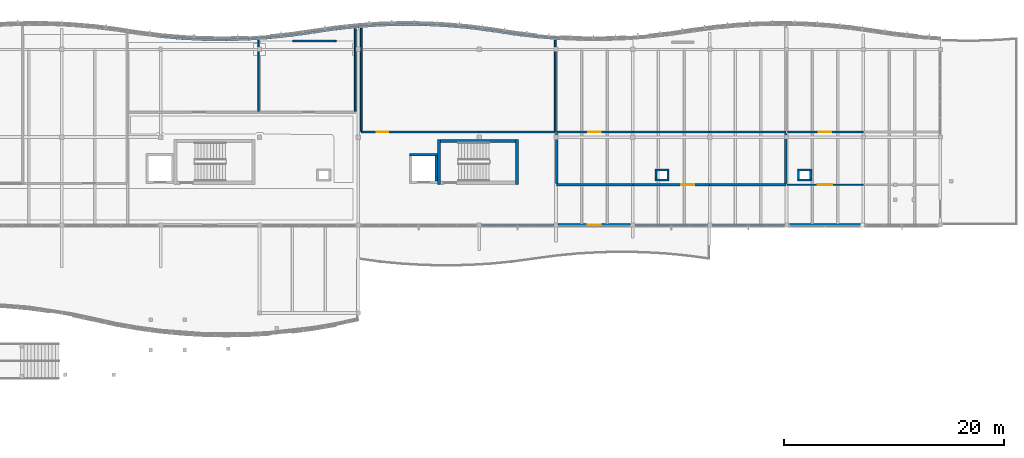
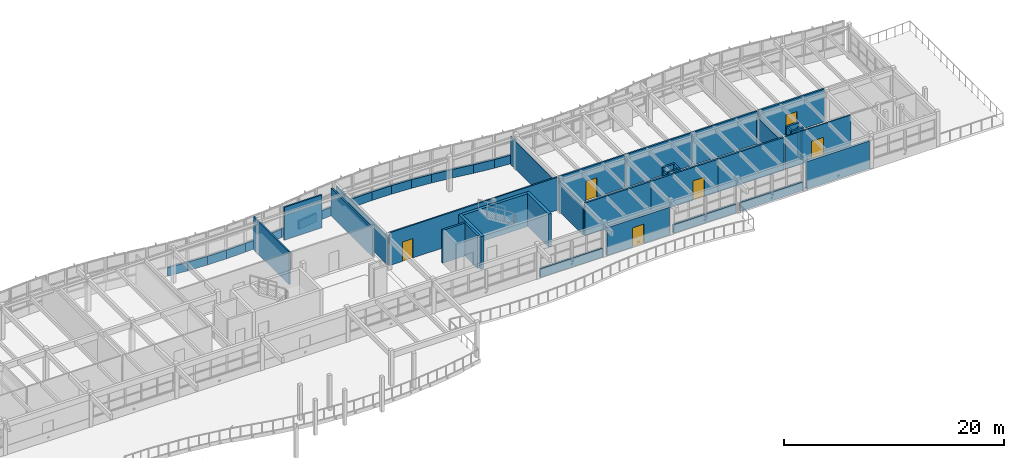
# One storey, part 42 of 63: 53 walls, 6 doors, 6 openings.
"""IFC4 building model written with IfcOpenShell, lengths in metres."""

from ifc_helpers import new_model, si_unit, direction, frame, frame_2d, origin, place, context, subcontext, project, spatial, rectangle, extrude, material, layer, layer_set, type_object, element, fill, save


model = new_model("IFC4")

# Units and contexts
model_context = context("Model", 3, precision=1e-05, world=origin(), true_north=direction((0.0, 1.0)))
body_context = subcontext(model_context, "Body", "Model", "MODEL_VIEW")
ifc_project = project(units=[si_unit("LENGTHUNIT", "METRE"), si_unit("AREAUNIT", "SQUARE_METRE"), si_unit("VOLUMEUNIT", "CUBIC_METRE"), si_unit("PLANEANGLEUNIT", "RADIAN"), si_unit("MASSUNIT", "GRAM", prefix="KILO")], contexts=[model_context])

# Site, building, storey
site_placement = place(None, origin())
site = spatial("IfcSite", under=ifc_project, at=site_placement, CompositionType="ELEMENT")
building_placement = place(site_placement, origin())
building = spatial("IfcBuilding", under=site, at=building_placement, Name="Tonlespit Floodbar School", CompositionType="ELEMENT")
storey_placement = place(building_placement, frame((0.0, 0.0, 8.39990234375)))
storey = spatial("IfcBuildingStorey", under=building, at=storey_placement, Name="L02", CompositionType="ELEMENT", Elevation=8.39990234375)

# Walls
ifc_material_1 = material(Name="Concrete C40/50", Category="concrete")
ifc_layer_1 = layer(ifc_material_1, 0.300048828125)
ifc_layer_set_1 = layer_set([ifc_layer_1], Name="Concrete C40/50")
wall_type_1 = type_object("IfcWallType", Name="CoreWall_RC_300", PredefinedType="SHEAR", material=ifc_layer_set_1)
for number, where, z_axis, x_axis, name in (
    (1, (123.35009765625, 107.699951171875, 0.0), (0.0, 0.0, 1.0), (0.0, 1.0, 0.0), "L02 core C4 shear wall NEAR"),
    (2, (130.449951171875, 111.800048828125, 0.0), (0.0, 0.0, 1.0), (0.0, -1.0, 0.0), "L02 core C4 shear wall FAR"),
):
    element("IfcWall", number, at=place(storey_placement, frame(where, z_axis=z_axis, x_axis=x_axis)), inside=storey, type_object=wall_type_1, Name=name, PredefinedType="SHEAR", context=body_context, shape_type="SweptSolid", body=[
        extrude(rectangle(XDim=4.10009765625, YDim=0.300048828125, at=frame_2d((2.050048828125, 0.0))), origin(), (0.0, 0.0, 1.0), 3.650146484375),
    ])
wall_1_placement = place(storey_placement, frame((130.300048828125, 111.64990234375, 0.0), z_axis=(0.0, 0.0, 1.0), x_axis=(-1.0, 0.0, 0.0)))
element("IfcWall", 3, at=wall_1_placement, inside=storey, type_object=wall_type_1, Name="L02 core C4 shear wall RGHT", PredefinedType="SHEAR", context=body_context, shape_type="SweptSolid", body=[
    extrude(rectangle(XDim=6.800048828125, YDim=0.300048828125, at=frame_2d((3.39990234375, 0.0))), origin(), (0.0, 0.0, 1.0), 3.650146484375),
])
ifc_material_2 = material(Name="Precast concrete C40/50", Category="concrete")
ifc_layer_2 = layer(ifc_material_2, 0.239990234375)
ifc_layer_set_2 = layer_set([ifc_layer_2], Name="Precast concrete C40/50")
wall_type_2 = type_object("IfcWallType", Name="ExtWall_Rainscreen_240", PredefinedType="SOLIDWALL", material=ifc_layer_set_2)
wall_2_placement = place(storey_placement, frame((161.820068359375, 104.0, 0.0), z_axis=(0.0, 0.0, 1.0), x_axis=(-1.0, 0.0, 0.0)))
element("IfcWall", 4, at=wall_2_placement, inside=storey, type_object=wall_type_2, Name="L02 external wall 0624", PredefinedType="SOLIDWALL", context=body_context, shape_type="SweptSolid", body=[
    extrude(rectangle(XDim=6.64013671875, YDim=0.239990234375, at=frame_2d((3.320068359375, 0.0))), origin(), (0.0, 0.0, 1.0), 3.085205078125),
])

# Wall, opening, door
wall_3_placement = place(storey_placement, frame((140.800048828125, 104.0, 0.0), z_axis=(0.0, 0.0, 1.0), x_axis=(-1.0, 0.0, 0.0)))
wall_3 = element("IfcWall", 5, at=wall_3_placement, inside=storey, type_object=wall_type_2, Name="L02 external wall 0627", PredefinedType="SOLIDWALL", context=body_context, shape_type="SweptSolid", body=[
    extrude(rectangle(XDim=6.60009765625, YDim=0.239990234375, at=frame_2d((3.300048828125, 0.0))), origin(), (0.0, 0.0, 1.0), 3.085205078125),
])
opening_1_placement = place(wall_3_placement, frame((2.699951171875, 0.0, 0.0)))
opening_1 = element("IfcOpeningElement", 6, at=opening_1_placement, cuts=wall_3, Name="Opening D-TR-033", PredefinedType="OPENING", context=body_context, shape_type="SweptSolid", body=[
    extrude(rectangle(XDim=1.199951171875, YDim=2.14990234375, at=frame_2d((0.60009765625, 1.074951171875))), frame((0.0, 0.1298828125, 0.0), z_axis=(0.0, -1.0, 0.0), x_axis=(1.0, 0.0, 0.0)), (0.0, 0.0, 1.0), 0.260009765625),
])
ifc_material_3 = material(Name="Anodised Aluminium", Category="aluminium")
door_type_1 = type_object("IfcDoorType", Name="ExtDoor_Terrace_1200x2150", OperationType="NOTDEFINED", PredefinedType="DOOR", material=ifc_material_3)
door_1_placement = place(opening_1_placement, origin())
door_1 = element("IfcDoor", 7, at=door_1_placement, inside=storey, type_object=door_type_1, Name="L02 exterior door D-TR-033", OperationType="SINGLE_SWING_LEFT", OverallHeight=2.14990234375, OverallWidth=1.199951171875, PredefinedType="DOOR", context=body_context, shape_type="SweptSolid", body=[
    extrude(rectangle(XDim=1.199951171875, YDim=2.14990234375, at=frame_2d((0.60009765625, 1.074951171875))), frame((0.0, 0.02490234375, 0.0), z_axis=(0.0, -1.0, 0.0), x_axis=(1.0, 0.0, 0.0)), (0.0, 0.0, 1.0), 0.050048828125),
])
fill(opening_1, door_1)

# Walls
ifc_material_4 = material(Name="White Architectural Precast concrete C40/50", Category="concrete")
ifc_layer_3 = layer(ifc_material_4, 0.199951171875)
ifc_layer_set_3 = layer_set([ifc_layer_3], Name="White Architectural Precast concrete C40/50")
wall_type_3 = type_object("IfcWallType", Name="ExtWall_Spandrel_White_200", PredefinedType="SOLIDWALL", material=ifc_layer_set_3)
wall_4_placement = place(storey_placement, frame((98.0, 121.142333984375, 0.0), z_axis=(0.0, 0.0, 1.0), x_axis=(0.996244237948, -0.086587633962, 0.0)))
element("IfcWall", 8, at=wall_4_placement, inside=storey, type_object=wall_type_3, Name="L02 spandrel wall 0122", PredefinedType="SOLIDWALL", context=body_context, shape_type="SweptSolid", body=[
    extrude(rectangle(XDim=2.007568359375, YDim=0.199951171875, at=frame_2d((1.00390625, 0.0))), origin(), (0.0, 0.0, 1.0), 0.9501953125),
])
wall_5_placement = place(storey_placement, frame((100.0, 120.968505859375, 0.0), z_axis=(0.0, 0.0, 1.0), x_axis=(0.99884540439, -0.048040172037, 0.0)))
element("IfcWall", 9, at=wall_5_placement, inside=storey, type_object=wall_type_3, Name="L02 spandrel wall 0123", PredefinedType="SOLIDWALL", context=body_context, shape_type="SweptSolid", body=[
    extrude(rectangle(XDim=2.002197265625, YDim=0.199951171875, at=frame_2d((1.0009765625, 0.0))), origin(), (0.0, 0.0, 1.0), 0.9501953125),
])
wall_6_placement = place(storey_placement, frame((102.0, 120.872314453125, 0.0), z_axis=(0.0, 0.0, 1.0), x_axis=(0.999953504169, -0.009643106302, 0.0)))
element("IfcWall", 10, at=wall_6_placement, inside=storey, type_object=wall_type_3, Name="L02 spandrel wall 0124", PredefinedType="SOLIDWALL", context=body_context, shape_type="SweptSolid", body=[
    extrude(rectangle(XDim=2.0, YDim=0.199951171875, at=frame_2d((1.0, 0.0))), origin(), (0.0, 0.0, 1.0), 0.9501953125),
])
wall_7_placement = place(storey_placement, frame((104.0, 120.85302734375, 0.0), z_axis=(0.0, 0.0, 1.0), x_axis=(0.999585290582, 0.028796646555, 0.0)))
element("IfcWall", 11, at=wall_7_placement, inside=storey, type_object=wall_type_3, Name="L02 spandrel wall 0125", PredefinedType="SOLIDWALL", context=body_context, shape_type="SweptSolid", body=[
    extrude(rectangle(XDim=2.000732421875, YDim=0.199951171875, at=frame_2d((1.00048828125, 0.0))), origin(), (0.0, 0.0, 1.0), 0.9501953125),
])
wall_8_placement = place(storey_placement, frame((106.0, 120.91064453125, 0.0), z_axis=(0.0, 0.0, 1.0), x_axis=(0.997729302978, 0.067351599676, 0.0)))
element("IfcWall", 12, at=wall_8_placement, inside=storey, type_object=wall_type_3, Name="L02 spandrel wall 0126", PredefinedType="SOLIDWALL", context=body_context, shape_type="SweptSolid", body=[
    extrude(rectangle(XDim=2.004638671875, YDim=0.199951171875, at=frame_2d((1.00244140625, 0.0))), origin(), (0.0, 0.0, 1.0), 0.9501953125),
])
wall_9_placement = place(storey_placement, frame((108.0, 121.045654296875, 0.0), z_axis=(0.0, 0.0, 1.0), x_axis=(0.994395160059, 0.105727317433, 0.0)))
element("IfcWall", 13, at=wall_9_placement, inside=storey, type_object=wall_type_3, Name="L02 spandrel wall 0127", PredefinedType="SOLIDWALL", context=body_context, shape_type="SweptSolid", body=[
    extrude(rectangle(XDim=2.01123046875, YDim=0.199951171875, at=frame_2d((1.005615234375, 0.0))), origin(), (0.0, 0.0, 1.0), 0.9501953125),
])
for number, where, z_axis, x_axis, name in (
    (14, (110.0, 121.25830078125, 0.0), (0.0, 0.0, 1.0), (0.989527230727, 0.144346318447, 0.0), "L02 spandrel wall 0128"),
    (15, (112.0, 121.550048828125, 0.0), (0.0, 0.0, 1.0), (0.989544477223, 0.144228040259, 0.0), "L02 spandrel wall 0129"),
):
    element("IfcWall", number, at=place(storey_placement, frame(where, z_axis=z_axis, x_axis=x_axis)), inside=storey, type_object=wall_type_3, Name=name, PredefinedType="SOLIDWALL", context=body_context, shape_type="SweptSolid", body=[
        extrude(rectangle(XDim=2.021240234375, YDim=0.199951171875, at=frame_2d((1.0107421875, 0.0))), origin(), (0.0, 0.0, 1.0), 0.9501953125),
    ])
wall_10_placement = place(storey_placement, frame((114.0, 121.841552734375, 0.0), z_axis=(0.0, 0.0, 1.0), x_axis=(0.994395160059, 0.105727317433, 0.0)))
element("IfcWall", 16, at=wall_10_placement, inside=storey, type_object=wall_type_3, Name="L02 spandrel wall 0130", PredefinedType="SOLIDWALL", context=body_context, shape_type="SweptSolid", body=[
    extrude(rectangle(XDim=2.01123046875, YDim=0.199951171875, at=frame_2d((1.005615234375, 0.0))), origin(), (0.0, 0.0, 1.0), 0.9501953125),
])
wall_11_placement = place(storey_placement, frame((116.0, 122.05419921875, 0.0), z_axis=(0.0, 0.0, 1.0), x_axis=(0.997750657781, 0.067034505271, 0.0)))
element("IfcWall", 17, at=wall_11_placement, inside=storey, type_object=wall_type_3, Name="L02 spandrel wall 0595", PredefinedType="SOLIDWALL", context=body_context, shape_type="SweptSolid", body=[
    extrude(rectangle(XDim=2.043212890625, YDim=0.199951171875, at=frame_2d((1.021484375, 0.0))), origin(), (0.0, 0.0, 1.0), 0.9501953125),
])
wall_12_placement = place(storey_placement, frame((118.03857421875, 122.191162109375, 0.0), z_axis=(0.0, 0.0, 1.0), x_axis=(0.999614143667, 0.02777703693, 0.0)))
element("IfcWall", 18, at=wall_12_placement, inside=storey, type_object=wall_type_3, Name="L02 spandrel wall 0596", PredefinedType="SOLIDWALL", context=body_context, shape_type="SweptSolid", body=[
    extrude(rectangle(XDim=2.0390625, YDim=0.199951171875, at=frame_2d((1.01953125, 0.0))), origin(), (0.0, 0.0, 1.0), 0.9501953125),
])
wall_13_placement = place(storey_placement, frame((120.076904296875, 122.247802734375, 0.0), z_axis=(0.0, 0.0, 1.0), x_axis=(0.999933915978, -0.01149624622, 0.0)))
element("IfcWall", 19, at=wall_13_placement, inside=storey, type_object=wall_type_3, Name="L02 spandrel wall 0597", PredefinedType="SOLIDWALL", context=body_context, shape_type="SweptSolid", body=[
    extrude(rectangle(XDim=2.038818359375, YDim=0.199951171875, at=frame_2d((1.01953125, 0.0))), origin(), (0.0, 0.0, 1.0), 0.9501953125),
])
wall_14_placement = place(storey_placement, frame((122.115478515625, 122.224365234375, 0.0), z_axis=(0.0, 0.0, 1.0), x_axis=(0.998712955004, -0.050719163124, 0.0)))
element("IfcWall", 20, at=wall_14_placement, inside=storey, type_object=wall_type_3, Name="L02 spandrel wall 0598", PredefinedType="SOLIDWALL", context=body_context, shape_type="SweptSolid", body=[
    extrude(rectangle(XDim=2.041015625, YDim=0.199951171875, at=frame_2d((1.0205078125, 0.0))), origin(), (0.0, 0.0, 1.0), 0.9501953125),
])
wall_15_placement = place(storey_placement, frame((124.15380859375, 122.120849609375, 0.0), z_axis=(0.0, 0.0, 1.0), x_axis=(0.995958450089, -0.0898151752, 0.0)))
element("IfcWall", 21, at=wall_15_placement, inside=storey, type_object=wall_type_3, Name="L02 spandrel wall 0599", PredefinedType="SOLIDWALL", context=body_context, shape_type="SweptSolid", body=[
    extrude(rectangle(XDim=2.046875, YDim=0.199951171875, at=frame_2d((1.0234375, 0.0))), origin(), (0.0, 0.0, 1.0), 0.9501953125),
])
wall_16_placement = place(storey_placement, frame((126.1923828125, 121.93701171875, 0.0), z_axis=(0.0, 0.0, 1.0), x_axis=(0.991615636968, -0.129222399452, 0.0)))
element("IfcWall", 22, at=wall_16_placement, inside=storey, type_object=wall_type_3, Name="L02 spandrel wall 0600", PredefinedType="SOLIDWALL", context=body_context, shape_type="SweptSolid", body=[
    extrude(rectangle(XDim=2.0556640625, YDim=0.199951171875, at=frame_2d((1.02783203125, 0.0))), origin(), (0.0, 0.0, 1.0), 0.9501953125),
])
wall_17_placement = place(storey_placement, frame((128.230712890625, 121.67138671875, 0.0), z_axis=(0.0, 0.0, 1.0), x_axis=(0.988222087659, -0.153026486149, 0.0)))
element("IfcWall", 23, at=wall_17_placement, inside=storey, type_object=wall_type_3, Name="L02 spandrel wall 0601", PredefinedType="SOLIDWALL", context=body_context, shape_type="SweptSolid", body=[
    extrude(rectangle(XDim=2.06298828125, YDim=0.199951171875, at=frame_2d((1.031494140625, 0.0))), origin(), (0.0, 0.0, 1.0), 0.9501953125),
])
wall_18_placement = place(storey_placement, frame((130.269287109375, 121.355712890625, 0.0), z_axis=(0.0, 0.0, 1.0), x_axis=(0.99284698408, -0.119393744403, 0.0)))
element("IfcWall", 24, at=wall_18_placement, inside=storey, type_object=wall_type_3, Name="L02 spandrel wall 0602", PredefinedType="SOLIDWALL", context=body_context, shape_type="SweptSolid", body=[
    extrude(rectangle(XDim=2.052978515625, YDim=0.199951171875, at=frame_2d((1.0263671875, 0.0))), origin(), (0.0, 0.0, 1.0), 0.9501953125),
])
wall_19_placement = place(storey_placement, frame((132.3076171875, 121.110595703125, 0.0), z_axis=(0.0, 0.0, 1.0), x_axis=(0.996767656411, -0.080338279373, 0.0)))
element("IfcWall", 25, at=wall_19_placement, inside=storey, type_object=wall_type_3, Name="L02 spandrel wall 0603", PredefinedType="SOLIDWALL", context=body_context, shape_type="SweptSolid", body=[
    extrude(rectangle(XDim=2.045166015625, YDim=0.199951171875, at=frame_2d((1.0224609375, 0.0))), origin(), (0.0, 0.0, 1.0), 0.9501953125),
])
wall_20_placement = place(storey_placement, frame((154.820068359375, 104.0, 0.0), z_axis=(0.0, 0.0, 1.0), x_axis=(-1.0, 0.0, 0.0)))
element("IfcWall", 26, at=wall_20_placement, inside=storey, type_object=wall_type_3, Name="L02 spandrel wall 0625", PredefinedType="SOLIDWALL", context=body_context, shape_type="SweptSolid", body=[
    extrude(rectangle(XDim=6.6201171875, YDim=0.199951171875, at=frame_2d((3.31005859375, 0.0))), origin(), (0.0, 0.0, 1.0), 0.9501953125),
])
for number, where, z_axis, x_axis, name in (
    (27, (147.800048828125, 104.0, 0.0), (0.0, 0.0, 1.0), (-1.0, 0.0, 0.0), "L02 spandrel wall 0626"),
    (28, (133.800048828125, 104.0, 0.0), (0.0, 0.0, 1.0), (-1.0, 0.0, 0.0), "L02 spandrel wall 0628"),
):
    element("IfcWall", number, at=place(storey_placement, frame(where, z_axis=z_axis, x_axis=x_axis)), inside=storey, type_object=wall_type_3, Name=name, PredefinedType="SOLIDWALL", context=body_context, shape_type="SweptSolid", body=[
        extrude(rectangle(XDim=6.60009765625, YDim=0.199951171875, at=frame_2d((3.300048828125, 0.0))), origin(), (0.0, 0.0, 1.0), 0.9501953125),
    ])
ifc_material_5 = material(Name="Gypsum Plasterboard Partition")
ifc_layer_4 = layer(ifc_material_5, 0.159912109375)
ifc_layer_set_4 = layer_set([ifc_layer_4], Name="Gypsum Plasterboard Partition")
wall_type_4 = type_object("IfcWallType", Name="FireWall_Lab_160", PredefinedType="PARTITIONING", material=ifc_layer_set_4)
wall_21_placement = place(storey_placement, frame((110.02001953125, 120.759033203125, 0.0), z_axis=(0.0, 0.0, 1.0), x_axis=(1.0, 0.0, 0.0)))
element("IfcWall", 29, at=wall_21_placement, inside=storey, type_object=wall_type_4, Name="L02 partition wall 0078", PredefinedType="PARTITIONING", context=body_context, shape_type="SweptSolid", body=[
    extrude(rectangle(XDim=3.9599609375, YDim=0.159912109375, at=frame_2d((1.97998046875, 0.0))), origin(), (0.0, 0.0, 1.0), 3.650146484375),
])
wall_22_placement = place(storey_placement, frame((115.72998046875, 114.364990234375, 0.0), z_axis=(0.0, 0.0, 1.0), x_axis=(0.0, 1.0, 0.0)))
element("IfcWall", 30, at=wall_22_placement, inside=storey, type_object=wall_type_4, Name="L02 partition wall 0079", PredefinedType="PARTITIONING", context=body_context, shape_type="SweptSolid", body=[
    extrude(rectangle(XDim=7.5185546875, YDim=0.159912109375, at=frame_2d((3.75927734375, 0.0))), origin(), (0.0, 0.0, 1.0), 3.085205078125),
])
ifc_layer_5 = layer(ifc_material_1, 0.199951171875)
ifc_layer_set_5 = layer_set([ifc_layer_5], Name="Concrete C40/50")
wall_type_5 = type_object("IfcWallType", Name="FireWall_Plant_200", PredefinedType="PARTITIONING", material=ifc_layer_set_5)
for number, where, z_axis, x_axis, name in (
    (31, (144.300048828125, 108.10009765625, 0.0), (0.0, 0.0, 1.0), (-1.0, 0.0, 0.0), "L02 service riser 05 wall S"),
    (32, (143.0, 109.0, 0.0), (0.0, 0.0, 1.0), (1.0, 0.0, 0.0), "L02 service riser 05 wall N"),
):
    element("IfcWall", number, at=place(storey_placement, frame(where, z_axis=z_axis, x_axis=x_axis)), inside=storey, type_object=wall_type_5, Name=name, PredefinedType="PARTITIONING", context=body_context, shape_type="SweptSolid", body=[
        extrude(rectangle(XDim=1.300048828125, YDim=0.199951171875, at=frame_2d((0.64990234375, 0.0))), origin(), (0.0, 0.0, 1.0), 3.650146484375),
    ])
wall_23_placement = place(storey_placement, frame((143.10009765625, 108.199951171875, 0.0), z_axis=(0.0, 0.0, 1.0), x_axis=(0.0, 1.0, 0.0)))
element("IfcWall", 33, at=wall_23_placement, inside=storey, type_object=wall_type_5, Name="L02 service riser 05 wall W", PredefinedType="PARTITIONING", context=body_context, shape_type="SweptSolid", body=[
    extrude(rectangle(XDim=0.699951171875, YDim=0.199951171875, at=frame_2d((0.35009765625, 0.0))), origin(), (0.0, 0.0, 1.0), 3.2451171875),
])
wall_24_placement = place(storey_placement, frame((144.199951171875, 108.89990234375, 0.0), z_axis=(0.0, 0.0, 1.0), x_axis=(0.0, -1.0, 0.0)))
element("IfcWall", 34, at=wall_24_placement, inside=storey, type_object=wall_type_5, Name="L02 service riser 05 wall E", PredefinedType="PARTITIONING", context=body_context, shape_type="SweptSolid", body=[
    extrude(rectangle(XDim=0.699951171875, YDim=0.199951171875, at=frame_2d((0.35009765625, 0.0))), origin(), (0.0, 0.0, 1.0), 3.650146484375),
])
for number, where, z_axis, x_axis, name in (
    (35, (157.300048828125, 108.10009765625, 0.0), (0.0, 0.0, 1.0), (-1.0, 0.0, 0.0), "L02 service riser 07 wall S"),
    (36, (156.0, 109.0, 0.0), (0.0, 0.0, 1.0), (1.0, 0.0, 0.0), "L02 service riser 07 wall N"),
):
    element("IfcWall", number, at=place(storey_placement, frame(where, z_axis=z_axis, x_axis=x_axis)), inside=storey, type_object=wall_type_5, Name=name, PredefinedType="PARTITIONING", context=body_context, shape_type="SweptSolid", body=[
        extrude(rectangle(XDim=1.300048828125, YDim=0.199951171875, at=frame_2d((0.64990234375, 0.0))), origin(), (0.0, 0.0, 1.0), 3.650146484375),
    ])
wall_25_placement = place(storey_placement, frame((156.10009765625, 108.199951171875, 0.0), z_axis=(0.0, 0.0, 1.0), x_axis=(0.0, 1.0, 0.0)))
element("IfcWall", 37, at=wall_25_placement, inside=storey, type_object=wall_type_5, Name="L02 service riser 07 wall W", PredefinedType="PARTITIONING", context=body_context, shape_type="SweptSolid", body=[
    extrude(rectangle(XDim=0.699951171875, YDim=0.199951171875, at=frame_2d((0.35009765625, 0.0))), origin(), (0.0, 0.0, 1.0), 3.650146484375),
])
wall_26_placement = place(storey_placement, frame((157.199951171875, 108.89990234375, 0.0), z_axis=(0.0, 0.0, 1.0), x_axis=(0.0, -1.0, 0.0)))
element("IfcWall", 38, at=wall_26_placement, inside=storey, type_object=wall_type_5, Name="L02 service riser 07 wall E", PredefinedType="PARTITIONING", context=body_context, shape_type="SweptSolid", body=[
    extrude(rectangle(XDim=0.699951171875, YDim=0.199951171875, at=frame_2d((0.35009765625, 0.0))), origin(), (0.0, 0.0, 1.0), 3.2451171875),
])

# Wall, opening, door
ifc_layer_6 = layer(ifc_material_5, 0.10009765625)
ifc_layer_set_6 = layer_set([ifc_layer_6], Name="Gypsum Plasterboard Partition")
wall_type_6 = type_object("IfcWallType", Name="Partition_Gyp_100", PredefinedType="PARTITIONING", material=ifc_layer_set_6)
wall_27_placement = place(storey_placement, frame((155.070068359375, 107.669921875, 0.0), z_axis=(0.0, 0.0, 1.0), x_axis=(1.0, 0.0, 0.0)))
wall_27 = element("IfcWall", 39, at=wall_27_placement, inside=storey, type_object=wall_type_6, Name="L02 partition wall 0406", PredefinedType="PARTITIONING", context=body_context, shape_type="SweptSolid", body=[
    extrude(rectangle(XDim=6.929931640625, YDim=0.10009765625, at=frame_2d((3.46484375, 0.0))), origin(), (0.0, 0.0, 1.0), 3.650146484375),
])
opening_2_placement = place(wall_27_placement, frame((2.7900390625, 0.0, 0.0)))
opening_2 = element("IfcOpeningElement", 40, at=opening_2_placement, cuts=wall_27, Name="Opening D-L02-110", PredefinedType="OPENING", context=body_context, shape_type="SweptSolid", body=[
    extrude(rectangle(XDim=1.280029296875, YDim=2.14990234375, at=frame_2d((0.64013671875, 1.074951171875))), frame((0.0, 0.06005859375, 0.0), z_axis=(0.0, -1.0, 0.0), x_axis=(1.0, 0.0, 0.0)), (0.0, 0.0, 1.0), 0.1201171875),
])
ifc_material_6 = material(Name="Hardwood Timber", Category="wood")
door_type_2 = type_object("IfcDoorType", Name="IntDoor_1280x2150", OperationType="NOTDEFINED", PredefinedType="DOOR", material=ifc_material_6)
door_2_placement = place(opening_2_placement, origin())
door_2 = element("IfcDoor", 41, at=door_2_placement, inside=storey, type_object=door_type_2, Name="L02 interior door D-L02-110", OperationType="SINGLE_SWING_LEFT", OverallHeight=2.14990234375, OverallWidth=1.280029296875, PredefinedType="DOOR", context=body_context, shape_type="SweptSolid", body=[
    extrude(rectangle(XDim=1.280029296875, YDim=2.14990234375, at=frame_2d((0.64013671875, 1.074951171875))), frame((0.0, 0.02490234375, 0.0), z_axis=(0.0, -1.0, 0.0), x_axis=(1.0, 0.0, 0.0)), (0.0, 0.0, 1.0), 0.050048828125),
])
fill(opening_2, door_2)

# Wall
ifc_layer_7 = layer(ifc_material_5, 0.139892578125)
ifc_layer_set_7 = layer_set([ifc_layer_7], Name="Gypsum Plasterboard Partition")
wall_type_7 = type_object("IfcWallType", Name="Partition_Gyp_140", PredefinedType="PARTITIONING", material=ifc_layer_set_7)
wall_28_placement = place(storey_placement, frame((106.929931640625, 114.35498046875, 0.0), z_axis=(0.0, 0.0, 1.0), x_axis=(0.0, 1.0, 0.0)))
element("IfcWall", 42, at=wall_28_placement, inside=storey, type_object=wall_type_7, Name="L02 partition wall 0076", PredefinedType="PARTITIONING", context=body_context, shape_type="SweptSolid", body=[
    extrude(rectangle(XDim=6.4765625, YDim=0.139892578125, at=frame_2d((3.23828125, 0.0))), origin(), (0.0, 0.0, 1.0), 3.650146484375),
])

# Wall, opening, door
ifc_layer_8 = layer(ifc_material_5, 0.14990234375)
ifc_layer_set_8 = layer_set([ifc_layer_8], Name="Gypsum Plasterboard Partition")
wall_type_8 = type_object("IfcWallType", Name="Partition_Gyp_150", PredefinedType="PARTITIONING", material=ifc_layer_set_8)
wall_29_placement = place(storey_placement, frame((116.27001953125, 112.469970703125, 0.0), z_axis=(0.0, 0.0, 1.0), x_axis=(1.0, 0.0, 0.0)))
wall_29 = element("IfcWall", 43, at=wall_29_placement, inside=storey, type_object=wall_type_8, Name="L02 partition wall 0390", PredefinedType="PARTITIONING", context=body_context, shape_type="SweptSolid", body=[
    extrude(rectangle(XDim=10.72998046875, YDim=0.14990234375, at=frame_2d((5.364990234375, 0.0))), origin(), (0.0, 0.0, 1.0), 3.650146484375),
])
opening_3_placement = place(wall_29_placement, frame((1.389892578125, 0.0, 0.0)))
opening_3 = element("IfcOpeningElement", 44, at=opening_3_placement, cuts=wall_29, Name="Opening D-L02-106", PredefinedType="OPENING", context=body_context, shape_type="SweptSolid", body=[
    extrude(rectangle(XDim=1.080078125, YDim=2.14990234375, at=frame_2d((0.5400390625, 1.074951171875))), frame((0.0, 0.0849609375, 0.0), z_axis=(0.0, -1.0, 0.0), x_axis=(1.0, 0.0, 0.0)), (0.0, 0.0, 1.0), 0.169921875),
])
door_type_3 = type_object("IfcDoorType", Name="IntDoor_1080x2150", OperationType="NOTDEFINED", PredefinedType="DOOR", material=ifc_material_6)
door_3_placement = place(opening_3_placement, origin())
door_3 = element("IfcDoor", 45, at=door_3_placement, inside=storey, type_object=door_type_3, Name="L02 interior door D-L02-106", OperationType="SINGLE_SWING_LEFT", OverallHeight=2.14990234375, OverallWidth=1.080078125, PredefinedType="DOOR", context=body_context, shape_type="SweptSolid", body=[
    extrude(rectangle(XDim=1.080078125, YDim=2.14990234375, at=frame_2d((0.5400390625, 1.074951171875))), frame((0.0, 0.02490234375, 0.0), z_axis=(0.0, -1.0, 0.0), x_axis=(1.0, 0.0, 0.0)), (0.0, 0.0, 1.0), 0.050048828125),
])
fill(opening_3, door_3)

# Walls
wall_30_placement = place(storey_placement, frame((127.0, 112.469970703125, 0.0), z_axis=(0.0, 0.0, 1.0), x_axis=(1.0, 0.0, 0.0)))
element("IfcWall", 46, at=wall_30_placement, inside=storey, type_object=wall_type_8, Name="L02 partition wall 0391", PredefinedType="PARTITIONING", context=body_context, shape_type="SweptSolid", body=[
    extrude(rectangle(XDim=6.929931640625, YDim=0.14990234375, at=frame_2d((3.46484375, 0.0))), origin(), (0.0, 0.0, 1.0), 3.650146484375),
])
wall_31_placement = place(storey_placement, frame((116.27001953125, 112.56005859375, 0.0), z_axis=(0.0, 0.0, 1.0), x_axis=(0.0, 1.0, 0.0)))
element("IfcWall", 47, at=wall_31_placement, inside=storey, type_object=wall_type_8, Name="L02 partition wall 0392", PredefinedType="PARTITIONING", context=body_context, shape_type="SweptSolid", body=[
    extrude(rectangle(XDim=9.370361328125, YDim=0.14990234375, at=frame_2d((4.68505859375, 0.0))), origin(), (0.0, 0.0, 1.0), 3.085205078125),
])
wall_32_placement = place(storey_placement, frame((133.929931640625, 112.56005859375, 0.0), z_axis=(0.0, 0.0, 1.0), x_axis=(0.0, 1.0, 0.0)))
element("IfcWall", 48, at=wall_32_placement, inside=storey, type_object=wall_type_8, Name="L02 partition wall 0393", PredefinedType="PARTITIONING", context=body_context, shape_type="SweptSolid", body=[
    extrude(rectangle(XDim=8.27783203125, YDim=0.14990234375, at=frame_2d((4.138916015625, 0.0))), origin(), (0.0, 0.0, 1.0), 3.085205078125),
])

# Wall, opening, door
ifc_layer_9 = layer(ifc_material_5, 0.169921875)
ifc_layer_set_9 = layer_set([ifc_layer_9], Name="Gypsum Plasterboard Partition")
wall_type_9 = type_object("IfcWallType", Name="Partition_Gyp_170", PredefinedType="PARTITIONING", material=ifc_layer_set_9)
wall_33_placement = place(storey_placement, frame((134.070068359375, 112.469970703125, 0.0), z_axis=(0.0, 0.0, 1.0), x_axis=(1.0, 0.0, 0.0)))
wall_33 = element("IfcWall", 49, at=wall_33_placement, inside=storey, type_object=wall_type_9, Name="L02 partition wall 0394", PredefinedType="PARTITIONING", context=body_context, shape_type="SweptSolid", body=[
    extrude(rectangle(XDim=6.929931640625, YDim=0.169921875, at=frame_2d((3.46484375, 0.0))), origin(), (0.0, 0.0, 1.0), 3.650146484375),
])
opening_4_placement = place(wall_33_placement, frame((2.8701171875, 0.0, 0.0)))
opening_4 = element("IfcOpeningElement", 50, at=opening_4_placement, cuts=wall_33, Name="Opening D-L02-107", PredefinedType="OPENING", context=body_context, shape_type="SweptSolid", body=[
    extrude(rectangle(XDim=1.1201171875, YDim=2.14990234375, at=frame_2d((0.56005859375, 1.074951171875))), frame((0.0, 0.094970703125, 0.0), z_axis=(0.0, -1.0, 0.0), x_axis=(1.0, 0.0, 0.0)), (0.0, 0.0, 1.0), 0.18994140625),
])
door_type_4 = type_object("IfcDoorType", Name="IntDoor_1120x2150", OperationType="NOTDEFINED", PredefinedType="DOOR", material=ifc_material_6)
door_4_placement = place(opening_4_placement, origin())
door_4 = element("IfcDoor", 51, at=door_4_placement, inside=storey, type_object=door_type_4, Name="L02 interior door D-L02-107", OperationType="SINGLE_SWING_RIGHT", OverallHeight=2.14990234375, OverallWidth=1.1201171875, PredefinedType="DOOR", context=body_context, shape_type="SweptSolid", body=[
    extrude(rectangle(XDim=1.1201171875, YDim=2.14990234375, at=frame_2d((0.56005859375, 1.074951171875))), frame((0.0, 0.02490234375, 0.0), z_axis=(0.0, -1.0, 0.0), x_axis=(1.0, 0.0, 0.0)), (0.0, 0.0, 1.0), 0.050048828125),
])
fill(opening_4, door_4)

# Walls
wall_34_placement = place(storey_placement, frame((141.0, 112.469970703125, 0.0), z_axis=(0.0, 0.0, 1.0), x_axis=(1.0, 0.0, 0.0)))
element("IfcWall", 52, at=wall_34_placement, inside=storey, type_object=wall_type_9, Name="L02 partition wall 0395", PredefinedType="PARTITIONING", context=body_context, shape_type="SweptSolid", body=[
    extrude(rectangle(XDim=7.0, YDim=0.169921875, at=frame_2d((3.5, 0.0))), origin(), (0.0, 0.0, 1.0), 3.650146484375),
])
wall_35_placement = place(storey_placement, frame((148.0, 112.469970703125, 0.0), z_axis=(0.0, 0.0, 1.0), x_axis=(1.0, 0.0, 0.0)))
element("IfcWall", 53, at=wall_35_placement, inside=storey, type_object=wall_type_9, Name="L02 partition wall 0396", PredefinedType="PARTITIONING", context=body_context, shape_type="SweptSolid", body=[
    extrude(rectangle(XDim=6.929931640625, YDim=0.169921875, at=frame_2d((3.46484375, 0.0))), origin(), (0.0, 0.0, 1.0), 3.650146484375),
])

# Wall, opening, door
ifc_layer_10 = layer(ifc_material_5, 0.18505859375)
ifc_layer_set_10 = layer_set([ifc_layer_10], Name="Gypsum Plasterboard Partition")
wall_type_10 = type_object("IfcWallType", Name="Partition_Gyp_185", PredefinedType="PARTITIONING", material=ifc_layer_set_10)
wall_36_placement = place(storey_placement, frame((155.070068359375, 112.469970703125, 0.0), z_axis=(0.0, 0.0, 1.0), x_axis=(1.0, 0.0, 0.0)))
wall_36 = element("IfcWall", 54, at=wall_36_placement, inside=storey, type_object=wall_type_10, Name="L02 partition wall 0399", PredefinedType="PARTITIONING", context=body_context, shape_type="SweptSolid", body=[
    extrude(rectangle(XDim=6.929931640625, YDim=0.18505859375, at=frame_2d((3.46484375, 0.0))), origin(), (0.0, 0.0, 1.0), 3.650146484375),
])
opening_5_placement = place(wall_36_placement, frame((2.85009765625, 0.0, 0.0)))
opening_5 = element("IfcOpeningElement", 55, at=opening_5_placement, cuts=wall_36, Name="Opening D-L02-108", PredefinedType="OPENING", context=body_context, shape_type="SweptSolid", body=[
    extrude(rectangle(XDim=1.159912109375, YDim=2.14990234375, at=frame_2d((0.580078125, 1.074951171875))), frame((0.0, 0.1025390625, 0.0), z_axis=(0.0, -1.0, 0.0), x_axis=(1.0, 0.0, 0.0)), (0.0, 0.0, 1.0), 0.205078125),
])
door_type_5 = type_object("IfcDoorType", Name="IntDoor_1160x2150", OperationType="NOTDEFINED", PredefinedType="DOOR", material=ifc_material_6)
door_5_placement = place(opening_5_placement, origin())
door_5 = element("IfcDoor", 56, at=door_5_placement, inside=storey, type_object=door_type_5, Name="L02 interior door D-L02-108", OperationType="SINGLE_SWING_LEFT", OverallHeight=2.14990234375, OverallWidth=1.159912109375, PredefinedType="DOOR", context=body_context, shape_type="SweptSolid", body=[
    extrude(rectangle(XDim=1.159912109375, YDim=2.14990234375, at=frame_2d((0.580078125, 1.074951171875))), frame((0.0, 0.02490234375, 0.0), z_axis=(0.0, -1.0, 0.0), x_axis=(1.0, 0.0, 0.0)), (0.0, 0.0, 1.0), 0.050048828125),
])
fill(opening_5, door_5)

# Wall
ifc_layer_11 = layer(ifc_material_5, 0.195068359375)
ifc_layer_set_11 = layer_set([ifc_layer_11], Name="Gypsum Plasterboard Partition")
wall_type_11 = type_object("IfcWallType", Name="Partition_Gyp_195", PredefinedType="PARTITIONING", material=ifc_layer_set_11)
wall_37_placement = place(storey_placement, frame((134.070068359375, 107.669921875, 0.0), z_axis=(0.0, 0.0, 1.0), x_axis=(1.0, 0.0, 0.0)))
element("IfcWall", 57, at=wall_37_placement, inside=storey, type_object=wall_type_11, Name="L02 partition wall 0401", PredefinedType="PARTITIONING", context=body_context, shape_type="SweptSolid", body=[
    extrude(rectangle(XDim=6.929931640625, YDim=0.195068359375, at=frame_2d((3.46484375, 0.0))), origin(), (0.0, 0.0, 1.0), 3.650146484375),
])

# Wall, opening, door
wall_38_placement = place(storey_placement, frame((141.0, 107.669921875, 0.0), z_axis=(0.0, 0.0, 1.0), x_axis=(1.0, 0.0, 0.0)))
wall_38 = element("IfcWall", 58, at=wall_38_placement, inside=storey, type_object=wall_type_11, Name="L02 partition wall 0402", PredefinedType="PARTITIONING", context=body_context, shape_type="SweptSolid", body=[
    extrude(rectangle(XDim=7.0, YDim=0.195068359375, at=frame_2d((3.5, 0.0))), origin(), (0.0, 0.0, 1.0), 3.650146484375),
])
opening_6_placement = place(wall_38_placement, frame((4.389892578125, 0.0, 0.0)))
opening_6 = element("IfcOpeningElement", 59, at=opening_6_placement, cuts=wall_38, Name="Opening D-L02-109", PredefinedType="OPENING", context=body_context, shape_type="SweptSolid", body=[
    extrude(rectangle(XDim=1.219970703125, YDim=2.14990234375, at=frame_2d((0.60986328125, 1.074951171875))), frame((0.0, 0.107421875, 0.0), z_axis=(0.0, -1.0, 0.0), x_axis=(1.0, 0.0, 0.0)), (0.0, 0.0, 1.0), 0.215087890625),
])
door_type_6 = type_object("IfcDoorType", Name="IntDoor_1220x2150", OperationType="NOTDEFINED", PredefinedType="DOOR", material=ifc_material_6)
door_6_placement = place(opening_6_placement, origin())
door_6 = element("IfcDoor", 60, at=door_6_placement, inside=storey, type_object=door_type_6, Name="L02 interior door D-L02-109", OperationType="SINGLE_SWING_RIGHT", OverallHeight=2.14990234375, OverallWidth=1.219970703125, PredefinedType="DOOR", context=body_context, shape_type="SweptSolid", body=[
    extrude(rectangle(XDim=1.219970703125, YDim=2.14990234375, at=frame_2d((0.60986328125, 1.074951171875))), frame((0.0, 0.02490234375, 0.0), z_axis=(0.0, -1.0, 0.0), x_axis=(1.0, 0.0, 0.0)), (0.0, 0.0, 1.0), 0.050048828125),
])
fill(opening_6, door_6)

# Walls
wall_39_placement = place(storey_placement, frame((148.0, 107.669921875, 0.0), z_axis=(0.0, 0.0, 1.0), x_axis=(1.0, 0.0, 0.0)))
element("IfcWall", 61, at=wall_39_placement, inside=storey, type_object=wall_type_11, Name="L02 partition wall 0403", PredefinedType="PARTITIONING", context=body_context, shape_type="SweptSolid", body=[
    extrude(rectangle(XDim=6.929931640625, YDim=0.195068359375, at=frame_2d((3.46484375, 0.0))), origin(), (0.0, 0.0, 1.0), 3.650146484375),
])
for number, where, z_axis, x_axis, name in (
    (62, (134.070068359375, 107.782470703125, 0.0), (0.0, 0.0, 1.0), (0.0, 1.0, 0.0), "L02 partition wall 0404"),
    (63, (154.929931640625, 107.782470703125, 0.0), (0.0, 0.0, 1.0), (0.0, 1.0, 0.0), "L02 partition wall 0405"),
):
    element("IfcWall", number, at=place(storey_placement, frame(where, z_axis=z_axis, x_axis=x_axis)), inside=storey, type_object=wall_type_11, Name=name, PredefinedType="PARTITIONING", context=body_context, shape_type="SweptSolid", body=[
        extrude(rectangle(XDim=4.547607421875, YDim=0.195068359375, at=frame_2d((2.27392578125, 0.0))), origin(), (0.0, 0.0, 1.0), 3.085205078125),
    ])
ifc_layer_12 = layer(ifc_material_1, 0.219970703125)
ifc_layer_set_12 = layer_set([ifc_layer_12], Name="Concrete C40/50")
wall_type_12 = type_object("IfcWallType", Name="ShaftWall_RC_220", PredefinedType="SHEAR", material=ifc_layer_set_12)
wall_40_placement = place(storey_placement, frame((120.679931640625, 110.409912109375, 0.0), z_axis=(0.0, 0.0, 1.0), x_axis=(1.0, 0.0, 0.0)))
element("IfcWall", 64, at=wall_40_placement, inside=storey, type_object=wall_type_12, Name="L02 lift LP-3 shaft wall N", PredefinedType="SHEAR", context=body_context, shape_type="SweptSolid", body=[
    extrude(rectangle(XDim=2.5400390625, YDim=0.219970703125, at=frame_2d((1.27001953125, 0.0))), origin(), (0.0, 0.0, 1.0), 3.650146484375),
])
wall_41_placement = place(storey_placement, frame((123.110107421875, 110.300048828125, 0.0), z_axis=(0.0, 0.0, 1.0), x_axis=(0.0, -1.0, 0.0)))
element("IfcWall", 65, at=wall_41_placement, inside=storey, type_object=wall_type_12, Name="L02 lift LP-3 shaft wall E", PredefinedType="SHEAR", context=body_context, shape_type="SweptSolid", body=[
    extrude(rectangle(XDim=2.300048828125, YDim=0.219970703125, at=frame_2d((1.14990234375, 0.0))), origin(), (0.0, 0.0, 1.0), 3.650146484375),
])

save(model, "model.ifc")
